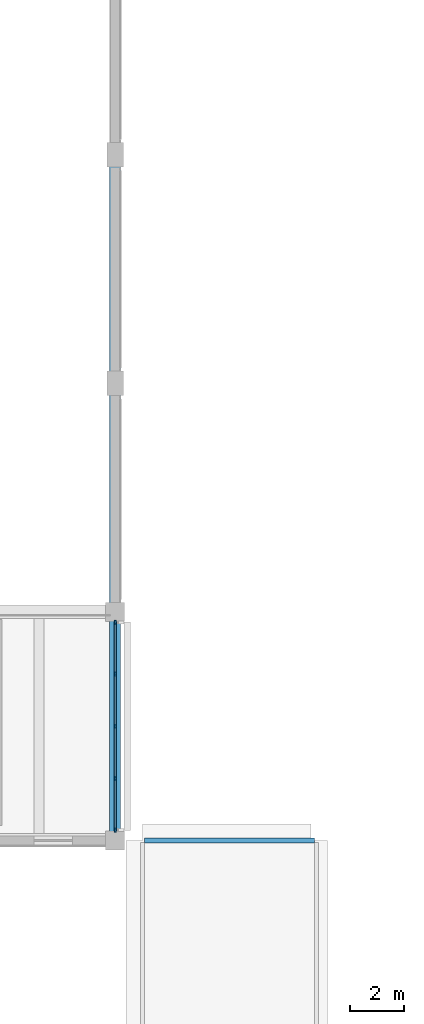
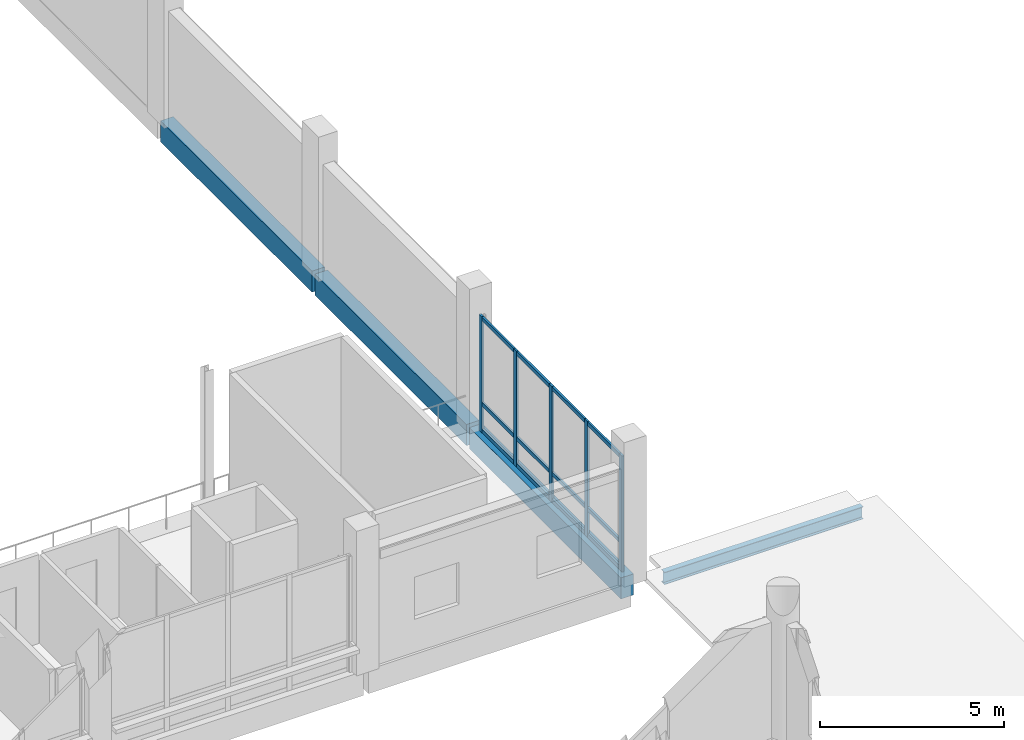
# One storey, part 32 of 128: 17 members, 4 beams, 1 element without a shape of its own.
"""IFC4 building model written with IfcOpenShell, lengths in metres."""

from ifc_helpers import new_model, si_unit, direction, frame, origin, origin_2d, place, context, subcontext, project, spatial, rectangle, i_section, extrude, material, layer, layer_set, material_profile, profile_set, type_object, element, aggregate, save


model = new_model("IFC4")

# Units and contexts
model_context = context("Model", 3, precision=1e-05, world=origin(), true_north=direction((0.0, 1.0)))
body_context = subcontext(model_context, "Body", "Model", "MODEL_VIEW")
ifc_project = project(units=[si_unit("LENGTHUNIT", "METRE"), si_unit("AREAUNIT", "SQUARE_METRE"), si_unit("VOLUMEUNIT", "CUBIC_METRE"), si_unit("PLANEANGLEUNIT", "RADIAN"), si_unit("MASSUNIT", "GRAM", prefix="KILO")], contexts=[model_context])

# Site, building, storey
site_placement = place(None, origin())
site = spatial("IfcSite", under=ifc_project, at=site_placement, CompositionType="ELEMENT")
building_placement = place(site_placement, origin())
building = spatial("IfcBuilding", under=site, at=building_placement, Name="Telukmera Botanical Conservatory", CompositionType="ELEMENT")
storey_placement = place(building_placement, frame((0.0, 0.0, 5.39990234375)))
storey = spatial("IfcBuildingStorey", under=building, at=storey_placement, Name="L01", CompositionType="ELEMENT", Elevation=5.39990234375)

# Beams
ifc_material_1 = material(Name="Concrete C40/50", Category="concrete")
ifc_material_profile_1 = material_profile(ifc_material_1, rectangle(XDim=0.39990234375, YDim=0.699951171875, at=origin_2d()), Name="RC 400x700")
ifc_profile_set_1 = profile_set([ifc_material_profile_1], Name="Concrete C40/50")
beam_type_1 = type_object("IfcBeamType", Name="Beam_B7", PredefinedType="BEAM", material=ifc_profile_set_1)
for number, where, z_axis, x_axis, name in (
    (1, (42.0, 83.280029296875, -0.349853515625), (0.0, 1.0, 0.0), (-1.0, 0.0, 0.0), "Auditorium Frame Beam beam:V2:L01:gy:420:832"),
    (2, (42.0, 91.679931640625, -0.349853515625), (0.0, 1.0, 0.0), (-1.0, 0.0, 0.0), "Auditorium Frame Beam beam:V2:L01:gy:420:916"),
    (3, (42.0, 100.080078125, -0.349853515625), (0.0, 1.0, 0.0), (-1.0, 0.0, 0.0), "Auditorium Frame Beam beam:V2:L01:gy:420:1000"),
):
    element("IfcBeam", number, at=place(storey_placement, frame(where, z_axis=z_axis, x_axis=x_axis)), inside=storey, type_object=beam_type_1, Name=name, PredefinedType="BEAM", context=body_context, shape_type="SweptSolid", body=[
        extrude(rectangle(XDim=0.39990234375, YDim=0.699951171875, at=origin_2d()), origin(), (0.0, 0.0, 1.0), 8.239990234375),
    ])
ifc_material_2 = material(Name="Steel S355", Category="steel")
ifc_material_profile_2 = material_profile(ifc_material_2, i_section(OverallWidth=0.1787109375, OverallDepth=0.409423828125, WebThickness=0.0087890625, FlangeThickness=0.014404296875, FilletRadius=0.01025390625, at=origin_2d()), Name="UB 406x178x67")
ifc_profile_set_2 = profile_set([ifc_material_profile_2], Name="Steel S355")
beam_type_2 = type_object("IfcBeamType", Name="Beam_SB4", PredefinedType="BEAM", material=ifc_profile_set_2)
beam_placement = place(storey_placement, frame((43.080078125, 83.199951171875, -0.364501953125), z_axis=(1.0, 0.0, 0.0), x_axis=(0.0, 1.0, 0.0)))
element("IfcBeam", 4, at=beam_placement, inside=storey, type_object=beam_type_2, Name="Canopy Steel Girder west_arcade", PredefinedType="BEAM", context=body_context, shape_type="SweptSolid", body=[
    extrude(i_section(OverallWidth=0.1787109375, OverallDepth=0.409423828125, WebThickness=0.0087890625, FlangeThickness=0.014404296875, FilletRadius=0.01025390625, at=origin_2d()), origin(), (0.0, 0.0, 1.0), 6.239990234375),
])

# Curtain wall, members
ifc_material_3 = material(Name="Anodised aluminium 6063-T6", Category="aluminium")
ifc_layer = layer(ifc_material_3, 0.179931640625)
ifc_layer_set = layer_set([ifc_layer], Name="Anodised aluminium 6063-T6")
curtain_wall_type = type_object("IfcCurtainWallType", Name="Auditorium Upper Foyer Acoustic Curtain Wall", PredefinedType="USERDEFINED", material=ifc_layer_set)
curtain_wall_placement = place(storey_placement, origin())
curtain_wall = element("IfcCurtainWall", 5, at=curtain_wall_placement, inside=storey, type_object=curtain_wall_type, Name="Unitised Curtain Wall CW05 V2:L01:E1", ObjectType="UNITISED CURTAIN WALL", PredefinedType="USERDEFINED")
ifc_material_profile_3 = material_profile(ifc_material_3, rectangle(XDim=0.06494140625, YDim=0.159912109375, at=origin_2d()), Name="ALU MULL 65x160")
ifc_profile_set_3 = profile_set([ifc_material_profile_3], Name="Anodised aluminium 6063-T6")
member_type_1 = type_object("IfcMemberType", Name="Curtain Wall Extruded Mullion 65x160", PredefinedType="MULLION", material=ifc_profile_set_3)
member_1_placement = place(storey_placement, frame((42.0, 83.58447265625, 0.0), z_axis=(0.0, 0.0, 1.0), x_axis=(-1.0, 0.0, 0.0)))
member_1 = element("IfcMember", 6, at=member_1_placement, type_object=member_type_1, Name="CW05 mullion 1", PredefinedType="MULLION", context=body_context, shape_type="SweptSolid", body=[
    extrude(rectangle(XDim=0.06494140625, YDim=0.159912109375, at=origin_2d()), origin(), (0.0, 0.0, 1.0), 3.85009765625),
])
member_2_placement = place(storey_placement, frame((42.0, 85.47607421875, 0.0), z_axis=(0.0, 0.0, 1.0), x_axis=(-1.0, 0.0, 0.0)))
member_2 = element("IfcMember", 7, at=member_2_placement, type_object=member_type_1, Name="CW05 mullion 2", PredefinedType="MULLION", context=body_context, shape_type="SweptSolid", body=[
    extrude(rectangle(XDim=0.06494140625, YDim=0.159912109375, at=origin_2d()), origin(), (0.0, 0.0, 1.0), 3.85009765625),
])
member_3_placement = place(storey_placement, frame((42.0, 87.39990234375, 0.0), z_axis=(0.0, 0.0, 1.0), x_axis=(-1.0, 0.0, 0.0)))
member_3 = element("IfcMember", 8, at=member_3_placement, type_object=member_type_1, Name="CW05 mullion 3", PredefinedType="MULLION", context=body_context, shape_type="SweptSolid", body=[
    extrude(rectangle(XDim=0.06494140625, YDim=0.159912109375, at=origin_2d()), origin(), (0.0, 0.0, 1.0), 3.85009765625),
])
member_4_placement = place(storey_placement, frame((42.0, 89.323974609375, 0.0), z_axis=(0.0, 0.0, 1.0), x_axis=(-1.0, 0.0, 0.0)))
member_4 = element("IfcMember", 9, at=member_4_placement, type_object=member_type_1, Name="CW05 mullion 4", PredefinedType="MULLION", context=body_context, shape_type="SweptSolid", body=[
    extrude(rectangle(XDim=0.06494140625, YDim=0.159912109375, at=origin_2d()), origin(), (0.0, 0.0, 1.0), 3.85009765625),
])
member_5_placement = place(storey_placement, frame((42.0, 91.215576171875, 0.0), z_axis=(0.0, 0.0, 1.0), x_axis=(-1.0, 0.0, 0.0)))
member_5 = element("IfcMember", 10, at=member_5_placement, type_object=member_type_1, Name="CW05 mullion 5", PredefinedType="MULLION", context=body_context, shape_type="SweptSolid", body=[
    extrude(rectangle(XDim=0.06494140625, YDim=0.159912109375, at=origin_2d()), origin(), (0.0, 0.0, 1.0), 3.85009765625),
])
ifc_material_profile_4 = material_profile(ifc_material_3, rectangle(XDim=0.06494140625, YDim=0.1298828125, at=origin_2d()), Name="ALU TRAN 65x130")
ifc_profile_set_4 = profile_set([ifc_material_profile_4], Name="Anodised aluminium 6063-T6")
member_type_2 = type_object("IfcMemberType", Name="Curtain Wall Extruded Transom 65x130", PredefinedType="USERDEFINED", material=ifc_profile_set_4)
member_6_placement = place(storey_placement, frame((42.0, 83.616943359375, 0.065185546875), z_axis=(0.0, 1.0, 0.0), x_axis=(-1.0, 0.0, 0.0)))
member_6 = element("IfcMember", 11, at=member_6_placement, type_object=member_type_2, Name="CW05 transom 1.1", ObjectType="TRANSOM", PredefinedType="USERDEFINED", context=body_context, shape_type="SweptSolid", body=[
    extrude(rectangle(XDim=0.06494140625, YDim=0.1298828125, at=origin_2d()), origin(), (0.0, 0.0, 1.0), 1.82666015625),
])
member_7_placement = place(storey_placement, frame((42.0, 83.616943359375, 0.9501953125), z_axis=(0.0, 1.0, 0.0), x_axis=(-1.0, 0.0, 0.0)))
member_7 = element("IfcMember", 12, at=member_7_placement, type_object=member_type_2, Name="CW05 transom 1.2", ObjectType="TRANSOM", PredefinedType="USERDEFINED", context=body_context, shape_type="SweptSolid", body=[
    extrude(rectangle(XDim=0.06494140625, YDim=0.1298828125, at=origin_2d()), origin(), (0.0, 0.0, 1.0), 1.82666015625),
])
member_8_placement = place(storey_placement, frame((42.0, 83.616943359375, 3.78515625), z_axis=(0.0, 1.0, 0.0), x_axis=(-1.0, 0.0, 0.0)))
member_8 = element("IfcMember", 13, at=member_8_placement, type_object=member_type_2, Name="CW05 transom 1.3", ObjectType="TRANSOM", PredefinedType="USERDEFINED", context=body_context, shape_type="SweptSolid", body=[
    extrude(rectangle(XDim=0.06494140625, YDim=0.1298828125, at=origin_2d()), origin(), (0.0, 0.0, 1.0), 1.82666015625),
])
member_9_placement = place(storey_placement, frame((42.0, 85.508544921875, 0.065185546875), z_axis=(0.0, 1.0, 0.0), x_axis=(-1.0, 0.0, 0.0)))
member_9 = element("IfcMember", 14, at=member_9_placement, type_object=member_type_2, Name="CW05 transom 2.1", ObjectType="TRANSOM", PredefinedType="USERDEFINED", context=body_context, shape_type="SweptSolid", body=[
    extrude(rectangle(XDim=0.06494140625, YDim=0.1298828125, at=origin_2d()), origin(), (0.0, 0.0, 1.0), 1.85888671875),
])
member_10_placement = place(storey_placement, frame((42.0, 85.508544921875, 0.9501953125), z_axis=(0.0, 1.0, 0.0), x_axis=(-1.0, 0.0, 0.0)))
member_10 = element("IfcMember", 15, at=member_10_placement, type_object=member_type_2, Name="CW05 transom 2.2", ObjectType="TRANSOM", PredefinedType="USERDEFINED", context=body_context, shape_type="SweptSolid", body=[
    extrude(rectangle(XDim=0.06494140625, YDim=0.1298828125, at=origin_2d()), origin(), (0.0, 0.0, 1.0), 1.85888671875),
])
member_11_placement = place(storey_placement, frame((42.0, 85.508544921875, 3.78515625), z_axis=(0.0, 1.0, 0.0), x_axis=(-1.0, 0.0, 0.0)))
member_11 = element("IfcMember", 16, at=member_11_placement, type_object=member_type_2, Name="CW05 transom 2.3", ObjectType="TRANSOM", PredefinedType="USERDEFINED", context=body_context, shape_type="SweptSolid", body=[
    extrude(rectangle(XDim=0.06494140625, YDim=0.1298828125, at=origin_2d()), origin(), (0.0, 0.0, 1.0), 1.85888671875),
])
member_12_placement = place(storey_placement, frame((42.0, 87.4326171875, 0.065185546875), z_axis=(0.0, 1.0, 0.0), x_axis=(-1.0, 0.0, 0.0)))
member_12 = element("IfcMember", 17, at=member_12_placement, type_object=member_type_2, Name="CW05 transom 3.1", ObjectType="TRANSOM", PredefinedType="USERDEFINED", context=body_context, shape_type="SweptSolid", body=[
    extrude(rectangle(XDim=0.06494140625, YDim=0.1298828125, at=origin_2d()), origin(), (0.0, 0.0, 1.0), 1.85888671875),
])
member_13_placement = place(storey_placement, frame((42.0, 87.4326171875, 0.9501953125), z_axis=(0.0, 1.0, 0.0), x_axis=(-1.0, 0.0, 0.0)))
member_13 = element("IfcMember", 18, at=member_13_placement, type_object=member_type_2, Name="CW05 transom 3.2", ObjectType="TRANSOM", PredefinedType="USERDEFINED", context=body_context, shape_type="SweptSolid", body=[
    extrude(rectangle(XDim=0.06494140625, YDim=0.1298828125, at=origin_2d()), origin(), (0.0, 0.0, 1.0), 1.85888671875),
])
member_14_placement = place(storey_placement, frame((42.0, 87.4326171875, 3.78515625), z_axis=(0.0, 1.0, 0.0), x_axis=(-1.0, 0.0, 0.0)))
member_14 = element("IfcMember", 19, at=member_14_placement, type_object=member_type_2, Name="CW05 transom 3.3", ObjectType="TRANSOM", PredefinedType="USERDEFINED", context=body_context, shape_type="SweptSolid", body=[
    extrude(rectangle(XDim=0.06494140625, YDim=0.1298828125, at=origin_2d()), origin(), (0.0, 0.0, 1.0), 1.85888671875),
])
member_15_placement = place(storey_placement, frame((42.0, 89.3564453125, 0.065185546875), z_axis=(0.0, 1.0, 0.0), x_axis=(-1.0, 0.0, 0.0)))
member_15 = element("IfcMember", 20, at=member_15_placement, type_object=member_type_2, Name="CW05 transom 4.1", ObjectType="TRANSOM", PredefinedType="USERDEFINED", context=body_context, shape_type="SweptSolid", body=[
    extrude(rectangle(XDim=0.06494140625, YDim=0.1298828125, at=origin_2d()), origin(), (0.0, 0.0, 1.0), 1.82666015625),
])
member_16_placement = place(storey_placement, frame((42.0, 89.3564453125, 0.9501953125), z_axis=(0.0, 1.0, 0.0), x_axis=(-1.0, 0.0, 0.0)))
member_16 = element("IfcMember", 21, at=member_16_placement, type_object=member_type_2, Name="CW05 transom 4.2", ObjectType="TRANSOM", PredefinedType="USERDEFINED", context=body_context, shape_type="SweptSolid", body=[
    extrude(rectangle(XDim=0.06494140625, YDim=0.1298828125, at=origin_2d()), origin(), (0.0, 0.0, 1.0), 1.82666015625),
])
member_17_placement = place(storey_placement, frame((42.0, 89.3564453125, 3.78515625), z_axis=(0.0, 1.0, 0.0), x_axis=(-1.0, 0.0, 0.0)))
member_17 = element("IfcMember", 22, at=member_17_placement, type_object=member_type_2, Name="CW05 transom 4.3", ObjectType="TRANSOM", PredefinedType="USERDEFINED", context=body_context, shape_type="SweptSolid", body=[
    extrude(rectangle(XDim=0.06494140625, YDim=0.1298828125, at=origin_2d()), origin(), (0.0, 0.0, 1.0), 1.82666015625),
])
aggregate(curtain_wall, [member_1, member_2, member_3, member_4, member_5, member_6, member_7, member_8, member_9, member_10, member_11, member_12, member_13, member_14, member_15, member_16, member_17])

save(model, "model.ifc")
